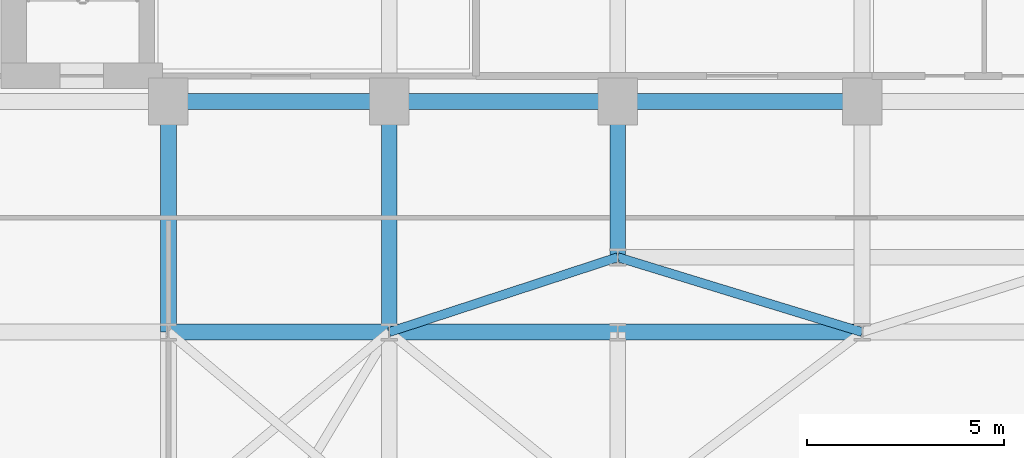
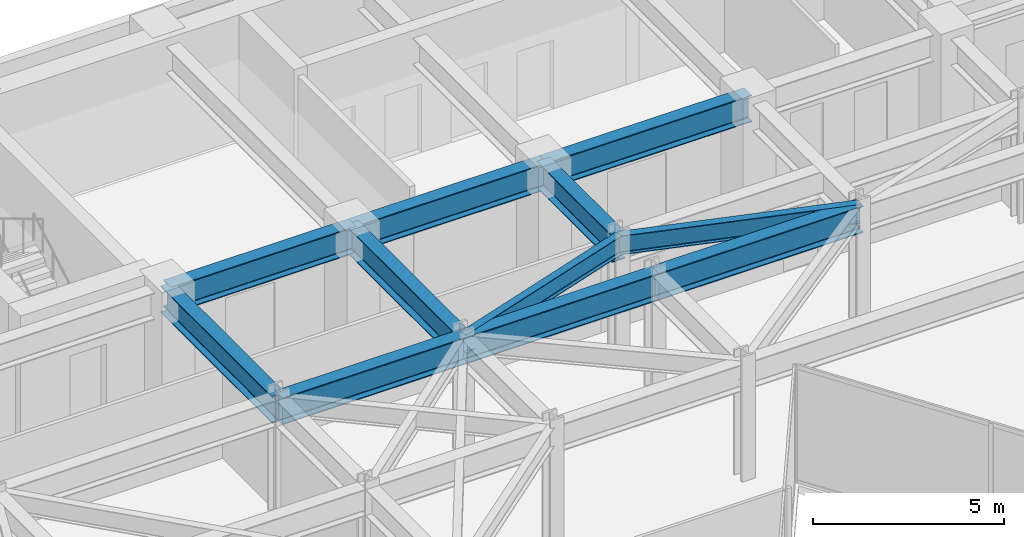
# One storey, part 14 of 26: 11 beams.
"""IFC4 building model written with IfcOpenShell, lengths in metres."""

from ifc_helpers import new_model, si_unit, direction, frame, origin, origin_2d, place, context, subcontext, project, spatial, i_section, extrude, material, material_profile, profile_set, type_object, element, save


model = new_model("IFC4")

# Units and contexts
model_context = context("Model", 3, precision=1e-05, world=origin(), true_north=direction((0.0, 1.0)))
body_context = subcontext(model_context, "Body", "Model", "MODEL_VIEW")
ifc_project = project(units=[si_unit("LENGTHUNIT", "METRE"), si_unit("AREAUNIT", "SQUARE_METRE"), si_unit("VOLUMEUNIT", "CUBIC_METRE"), si_unit("PLANEANGLEUNIT", "RADIAN"), si_unit("MASSUNIT", "GRAM", prefix="KILO")], contexts=[model_context])

# Site, building, storey
site_placement = place(None, origin())
site = spatial("IfcSite", under=ifc_project, at=site_placement, CompositionType="ELEMENT")
building_placement = place(site_placement, origin())
building = spatial("IfcBuilding", under=site, at=building_placement, Name="Kravanh Interchange Tower", CompositionType="ELEMENT")
storey_placement = place(building_placement, frame((0.0, 0.0, 148.0)))
storey = spatial("IfcBuildingStorey", under=building, at=storey_placement, Name="L35", CompositionType="ELEMENT", Elevation=148.0)

# Beams
ifc_material_1 = material(Name="Structural Steel S355", Category="steel")
ifc_material_profile_1 = material_profile(ifc_material_1, i_section(OverallWidth=0.39990234375, OverallDepth=0.85595703125, WebThickness=0.018310546875, FlangeThickness=0.029296875, FilletRadius=0.02490234375, at=origin_2d()), Name="W33X201")
ifc_profile_set_1 = profile_set([ifc_material_profile_1], Name="Structural Steel S355")
beam_type_1 = type_object("IfcBeamType", Name="Floor Beam W33X201 Structural Steel S355", PredefinedType="BEAM", material=ifc_profile_set_1)
beam_1_placement = place(storey_placement, frame((44.800048828125, 37.35009765625, 3.322021484375), z_axis=(-1.0, 0.0, 0.0), x_axis=(0.0, -1.0, 0.0)))
element("IfcBeam", 1, at=beam_1_placement, inside=storey, type_object=beam_type_1, Name="L35 Primary Floor Girder 13", PredefinedType="BEAM", context=body_context, shape_type="SweptSolid", body=[
    extrude(i_section(OverallWidth=0.39990234375, OverallDepth=0.85595703125, WebThickness=0.018310546875, FlangeThickness=0.029296875, FilletRadius=0.02490234375, at=origin_2d()), origin(), (0.0, 0.0, 1.0), 6.199951171875),
])
beam_2_placement = place(storey_placement, frame((38.60009765625, 37.35009765625, 3.322021484375), z_axis=(0.0, -1.0, 0.0), x_axis=(1.0, 0.0, 0.0)))
element("IfcBeam", 2, at=beam_2_placement, inside=storey, type_object=beam_type_1, Name="L35 Primary Floor Girder 16", PredefinedType="BEAM", context=body_context, shape_type="SweptSolid", body=[
    extrude(i_section(OverallWidth=0.39990234375, OverallDepth=0.85595703125, WebThickness=0.018310546875, FlangeThickness=0.029296875, FilletRadius=0.02490234375, at=origin_2d()), origin(), (0.0, 0.0, 1.0), 3.9501953125),
])
beam_3_placement = place(storey_placement, frame((38.60009765625, 37.35009765625, 3.322021484375), z_axis=(-1.0, 0.0, 0.0), x_axis=(0.0, -1.0, 0.0)))
element("IfcBeam", 3, at=beam_3_placement, inside=storey, type_object=beam_type_1, Name="L35 Primary Floor Girder 17", PredefinedType="BEAM", context=body_context, shape_type="SweptSolid", body=[
    extrude(i_section(OverallWidth=0.39990234375, OverallDepth=0.85595703125, WebThickness=0.018310546875, FlangeThickness=0.029296875, FilletRadius=0.02490234375, at=origin_2d()), origin(), (0.0, 0.0, 1.0), 5.800048828125),
])
beam_4_placement = place(storey_placement, frame((32.800048828125, 37.35009765625, 3.322021484375), z_axis=(-1.0, 0.0, 0.0), x_axis=(0.0, -1.0, 0.0)))
element("IfcBeam", 4, at=beam_4_placement, inside=storey, type_object=beam_type_1, Name="L35 Primary Floor Girder 20", PredefinedType="BEAM", context=body_context, shape_type="SweptSolid", body=[
    extrude(i_section(OverallWidth=0.39990234375, OverallDepth=0.85595703125, WebThickness=0.018310546875, FlangeThickness=0.029296875, FilletRadius=0.02490234375, at=origin_2d()), origin(), (0.0, 0.0, 1.0), 5.60009765625),
])
for number, where, z_axis, x_axis, name in (
    (5, (32.800048828125, 37.35009765625, 3.322021484375), (0.0, -1.0, 0.0), (1.0, 0.0, 0.0), "L35 Primary Floor Girder 21"),
    (6, (27.199951171875, 37.35009765625, 3.322021484375), (0.0, -1.0, 0.0), (1.0, 0.0, 0.0), "L35 Primary Floor Girder 24"),
):
    element("IfcBeam", number, at=place(storey_placement, frame(where, z_axis=z_axis, x_axis=x_axis)), inside=storey, type_object=beam_type_1, Name=name, PredefinedType="BEAM", context=body_context, shape_type="SweptSolid", body=[
        extrude(i_section(OverallWidth=0.39990234375, OverallDepth=0.85595703125, WebThickness=0.018310546875, FlangeThickness=0.029296875, FilletRadius=0.02490234375, at=origin_2d()), origin(), (0.0, 0.0, 1.0), 5.85009765625),
    ])
beam_5_placement = place(storey_placement, frame((27.199951171875, 31.5, 3.322021484375), z_axis=(1.0, 0.0, 0.0), x_axis=(0.0, 1.0, 0.0)))
element("IfcBeam", 7, at=beam_5_placement, inside=storey, type_object=beam_type_1, Name="L35 Primary Floor Girder 74", PredefinedType="BEAM", context=body_context, shape_type="SweptSolid", body=[
    extrude(i_section(OverallWidth=0.39990234375, OverallDepth=0.85595703125, WebThickness=0.018310546875, FlangeThickness=0.029296875, FilletRadius=0.02490234375, at=origin_2d()), origin(), (0.0, 0.0, 1.0), 5.60009765625),
])
beam_6_placement = place(storey_placement, frame((32.800048828125, 31.5, 3.322021484375), z_axis=(1.0, 0.0, 0.0), x_axis=(0.0, 1.0, 0.0)))
element("IfcBeam", 8, at=beam_6_placement, inside=storey, type_object=beam_type_1, Name="L35 Primary Floor Girder 78", PredefinedType="BEAM", context=body_context, shape_type="SweptSolid", body=[
    extrude(i_section(OverallWidth=0.39990234375, OverallDepth=0.85595703125, WebThickness=0.018310546875, FlangeThickness=0.029296875, FilletRadius=0.02490234375, at=origin_2d()), origin(), (0.0, 0.0, 1.0), 5.800048828125),
])
beam_7_placement = place(storey_placement, frame((38.60009765625, 31.5, 3.322021484375), z_axis=(1.0, 0.0, 0.0), x_axis=(0.0, 1.0, 0.0)))
element("IfcBeam", 9, at=beam_7_placement, inside=storey, type_object=beam_type_1, Name="L35 Primary Floor Girder 81", PredefinedType="BEAM", context=body_context, shape_type="SweptSolid", body=[
    extrude(i_section(OverallWidth=0.39990234375, OverallDepth=0.85595703125, WebThickness=0.018310546875, FlangeThickness=0.029296875, FilletRadius=0.02490234375, at=origin_2d()), origin(), (0.0, 0.0, 1.0), 6.199951171875),
])
ifc_material_2 = material(Name="Structural Steel S355", Category="steel")
ifc_material_profile_2 = material_profile(ifc_material_2, i_section(OverallWidth=0.22802734375, OverallDepth=0.60791015625, WebThickness=0.01123046875, FlangeThickness=0.017333984375, FilletRadius=0.02197265625, at=origin_2d()), Name="W24X76")
ifc_profile_set_2 = profile_set([ifc_material_profile_2], Name="Structural Steel S355")
beam_type_2 = type_object("IfcBeamType", Name="Floor Spandrel W24X76 Structural Steel S355", PredefinedType="SPANDREL", material=ifc_profile_set_2)
beam_8_placement = place(storey_placement, frame((32.800048828125, 31.5, 3.446044921875), z_axis=(0.950314536578, 0.31129131303, 0.0), x_axis=(-0.31129131303, 0.950314536578, 0.0)))
element("IfcBeam", 10, at=beam_8_placement, inside=storey, type_object=beam_type_2, Name="L35 Perimeter Spandrel 79", PredefinedType="SPANDREL", context=body_context, shape_type="SweptSolid", body=[
    extrude(i_section(OverallWidth=0.22802734375, OverallDepth=0.60791015625, WebThickness=0.01123046875, FlangeThickness=0.017333984375, FilletRadius=0.02197265625, at=origin_2d()), origin(), (0.0, 0.0, 1.0), 6.103271484375),
])
beam_9_placement = place(storey_placement, frame((44.800048828125, 31.5, 3.446044921875), z_axis=(-0.956115397264, 0.292990353279, 0.0), x_axis=(-0.292990353279, -0.956115397264, 0.0)))
element("IfcBeam", 11, at=beam_9_placement, inside=storey, type_object=beam_type_2, Name="L35 Perimeter Spandrel 85", PredefinedType="SPANDREL", context=body_context, shape_type="SweptSolid", body=[
    extrude(i_section(OverallWidth=0.22802734375, OverallDepth=0.60791015625, WebThickness=0.01123046875, FlangeThickness=0.017333984375, FilletRadius=0.02197265625, at=origin_2d()), origin(), (0.0, 0.0, 1.0), 6.484619140625),
])

save(model, "model.ifc")
